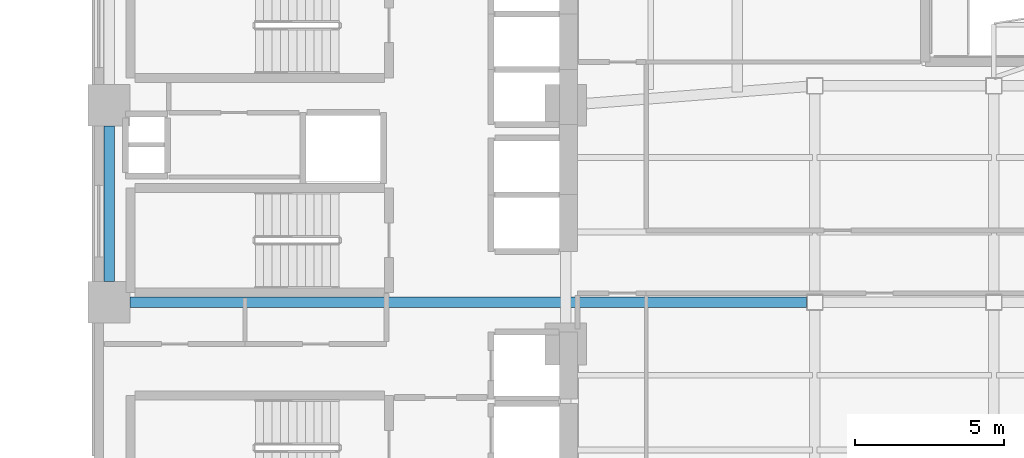
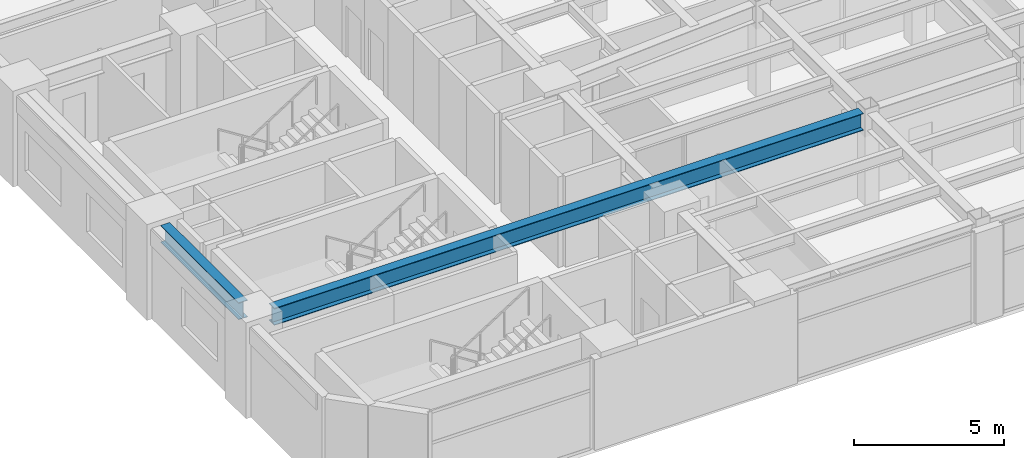
# One storey, part 3 of 17: 2 beams.
"""IFC4 building model written with IfcOpenShell, lengths in metres."""

from ifc_helpers import new_model, si_unit, direction, frame, origin, origin_2d, place, context, subcontext, project, spatial, i_section, extrude, material, material_profile, profile_set, type_object, element, save


model = new_model("IFC4")

# Units and contexts
model_context = context("Model", 3, precision=1e-05, world=origin(), true_north=direction((0.0, 1.0)))
body_context = subcontext(model_context, "Body", "Model", "MODEL_VIEW")
ifc_project = project(units=[si_unit("LENGTHUNIT", "METRE"), si_unit("AREAUNIT", "SQUARE_METRE"), si_unit("VOLUMEUNIT", "CUBIC_METRE"), si_unit("PLANEANGLEUNIT", "RADIAN"), si_unit("MASSUNIT", "GRAM", prefix="KILO")], contexts=[model_context])

# Site, building, storey
site_placement = place(None, origin())
site = spatial("IfcSite", under=ifc_project, at=site_placement, CompositionType="ELEMENT")
building_placement = place(site_placement, origin())
building = spatial("IfcBuilding", under=site, at=building_placement, Name="Mawjaban Terraces University", CompositionType="ELEMENT")
storey_placement = place(building_placement, frame((0.0, 0.0, 70.0)))
storey = spatial("IfcBuildingStorey", under=building, at=storey_placement, Name="L16", CompositionType="ELEMENT", Elevation=70.0)

# Beams
ifc_material = material(Name="Steel ASTM A572 Grade 50", Category="steel")
ifc_material_profile = material_profile(ifc_material, i_section(OverallWidth=0.35498046875, OverallDepth=0.695068359375, WebThickness=0.015380859375, FlangeThickness=0.02490234375, at=origin_2d()), Name="W690X217")
ifc_profile_set = profile_set([ifc_material_profile], Name="Steel ASTM A572 Grade 50")
beam_type = type_object("IfcBeamType", Name="Beam_B_W690X217", PredefinedType="BEAM", material=ifc_profile_set)
beam_1_placement = place(storey_placement, frame((23.050048828125, 7.949951171875, 3.343017578125), z_axis=(1.0, 0.0, 0.0), x_axis=(0.0, 1.0, 0.0)))
element("IfcBeam", 1, at=beam_1_placement, inside=storey, type_object=beam_type, Name="L16 Beam BM-L16-EW-06", PredefinedType="BEAM", context=body_context, shape_type="SweptSolid", body=[
    extrude(i_section(OverallWidth=0.35498046875, OverallDepth=0.695068359375, WebThickness=0.015380859375, FlangeThickness=0.02490234375, at=origin_2d()), origin(), (0.0, 0.0, 1.0), 22.675048828125),
])
beam_2_placement = place(storey_placement, frame((22.35009765625, 8.64990234375, 3.343017578125), z_axis=(0.0, 1.0, 0.0), x_axis=(-1.0, 0.0, 0.0)))
element("IfcBeam", 2, at=beam_2_placement, inside=storey, type_object=beam_type, Name="L16 Beam BM-L16-NS-01", PredefinedType="BEAM", context=body_context, shape_type="SweptSolid", body=[
    extrude(i_section(OverallWidth=0.35498046875, OverallDepth=0.695068359375, WebThickness=0.015380859375, FlangeThickness=0.02490234375, at=origin_2d()), origin(), (0.0, 0.0, 1.0), 5.2001953125),
])

save(model, "model.ifc")
